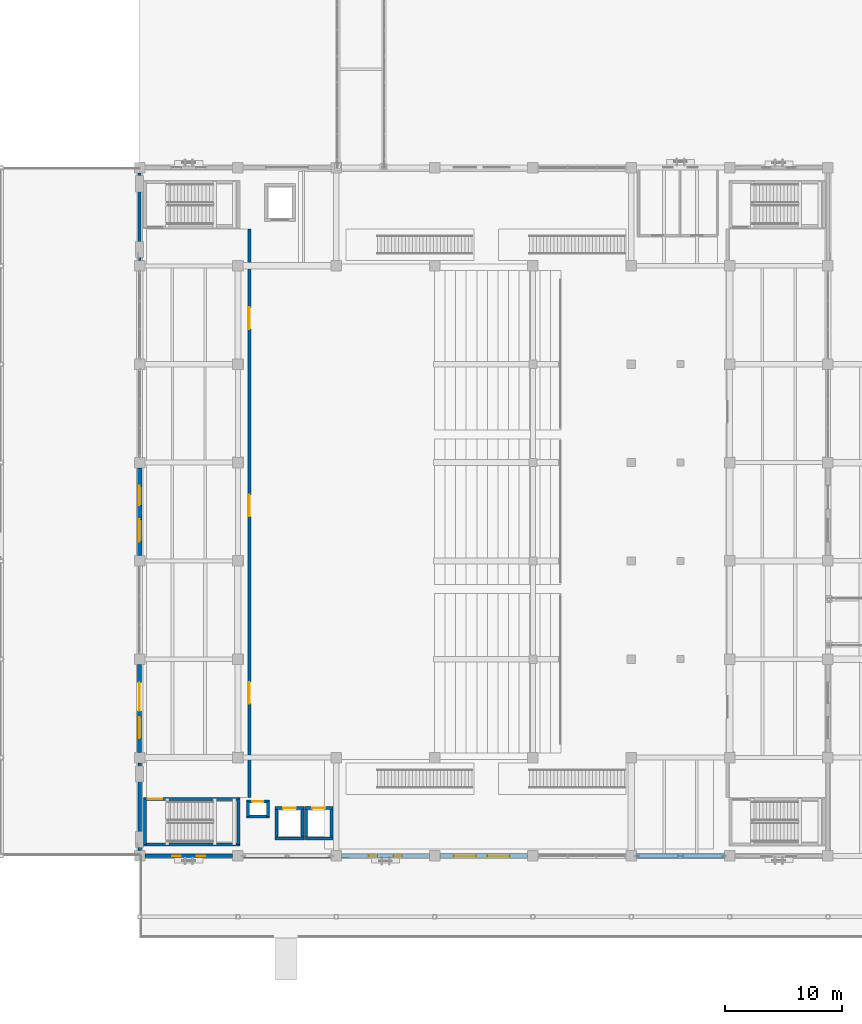
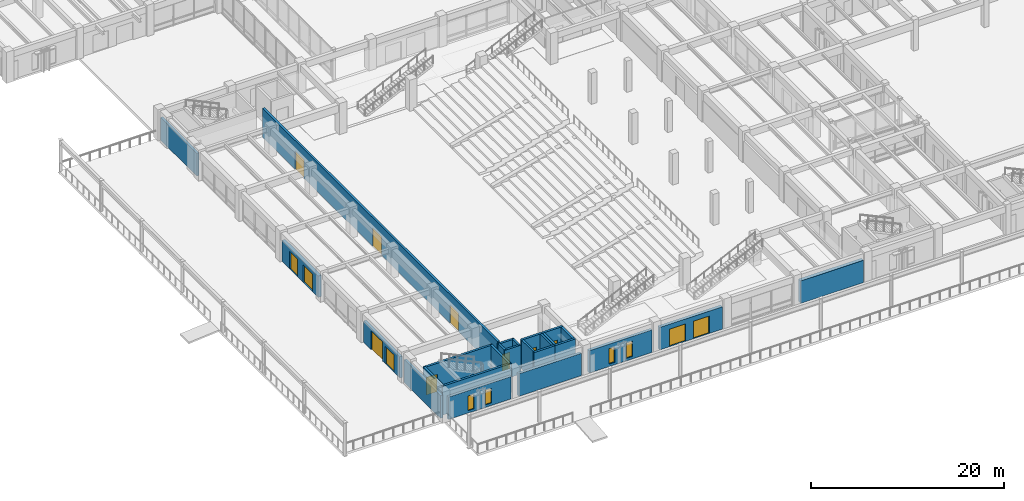
# One storey, part 84 of 135: 26 walls, 13 doors, 4 windows, 17 openings.
"""IFC4 building model written with IfcOpenShell, lengths in metres."""

from ifc_helpers import new_model, si_unit, direction, frame, frame_2d, origin, place, context, subcontext, project, spatial, rectangle, extrude, material, layer, layer_set, type_object, element, fill, save


model = new_model("IFC4")

# Units and contexts
model_context = context("Model", 3, precision=1e-05, world=origin(), true_north=direction((0.0, 1.0)))
body_context = subcontext(model_context, "Body", "Model", "MODEL_VIEW")
ifc_project = project(units=[si_unit("LENGTHUNIT", "METRE"), si_unit("AREAUNIT", "SQUARE_METRE"), si_unit("VOLUMEUNIT", "CUBIC_METRE"), si_unit("PLANEANGLEUNIT", "RADIAN"), si_unit("MASSUNIT", "GRAM", prefix="KILO")], contexts=[model_context])

# Site, building, storey
site_placement = place(None, origin())
site = spatial("IfcSite", under=ifc_project, at=site_placement, CompositionType="ELEMENT")
building_placement = place(site_placement, origin())
building = spatial("IfcBuilding", under=site, at=building_placement, Name="Cumbredor Promenade Congress Hotel", CompositionType="ELEMENT")
storey_placement = place(building_placement, origin())
storey = spatial("IfcBuildingStorey", under=building, at=storey_placement, Name="L00", CompositionType="ELEMENT", Elevation=0.0)

# Wall, openings, doors
ifc_material_1 = material(Name="Concrete C40/50", Category="concrete")
ifc_layer_1 = layer(ifc_material_1, 0.25, Name="Concrete C40/50", Category="concrete")
ifc_layer_set_1 = layer_set([ifc_layer_1], Name="Concrete C40/50")
wall_type_1 = type_object("IfcWallType", Name="WL-ACOUST-250", PredefinedType="SOLIDWALL", material=ifc_layer_set_1)
wall_1_placement = place(storey_placement, frame((17.800048828125, 13.39990234375, 0.0), z_axis=(0.0, 0.0, 1.0), x_axis=(0.0, 1.0, 0.0)))
wall_1 = element("IfcWall", 1, at=wall_1_placement, inside=storey, type_object=wall_type_1, Name="L00 Interior Partition W-L00-V1-1", PredefinedType="SOLIDWALL", context=body_context, shape_type="SweptSolid", body=[
    extrude(rectangle(XDim=48.550048828125, YDim=0.25, at=frame_2d((24.27490234375, 0.0))), origin(), (0.0, 0.0, 1.0), 3.639892578125),
])
opening_1_placement = place(wall_1_placement, frame((8.0, 0.0, 0.0)))
opening_1 = element("IfcOpeningElement", 2, at=opening_1_placement, cuts=wall_1, Name="Opening AD-01", PredefinedType="OPENING", context=body_context, shape_type="SweptSolid", body=[
    extrude(rectangle(XDim=1.85009765625, YDim=2.35009765625, at=frame_2d((0.925048828125, 1.175048828125))), frame((0.0, 0.135009765625, 0.0), z_axis=(0.0, -1.0, 0.0), x_axis=(1.0, 0.0, 0.0)), (0.0, 0.0, 1.0), 0.27001953125),
])
opening_2_placement = place(wall_1_placement, frame((24.0, 0.0, 0.0)))
opening_2 = element("IfcOpeningElement", 3, at=opening_2_placement, cuts=wall_1, Name="Opening AD-01", PredefinedType="OPENING", context=body_context, shape_type="SweptSolid", body=[
    extrude(rectangle(XDim=1.85009765625, YDim=2.35009765625, at=frame_2d((0.925048828125, 1.175048828125))), frame((0.0, 0.135009765625, 0.0), z_axis=(0.0, -1.0, 0.0), x_axis=(1.0, 0.0, 0.0)), (0.0, 0.0, 1.0), 0.27001953125),
])
opening_3_placement = place(wall_1_placement, frame((40.0, 0.0, 0.0)))
opening_3 = element("IfcOpeningElement", 4, at=opening_3_placement, cuts=wall_1, Name="Opening AD-01", PredefinedType="OPENING", context=body_context, shape_type="SweptSolid", body=[
    extrude(rectangle(XDim=1.85009765625, YDim=2.35009765625, at=frame_2d((0.925048828125, 1.175048828125))), frame((0.0, 0.135009765625, 0.0), z_axis=(0.0, -1.0, 0.0), x_axis=(1.0, 0.0, 0.0)), (0.0, 0.0, 1.0), 0.27001953125),
])
ifc_material_2 = material(Name="Acoustic solid-core hardwood assembly door", Category="wood")
door_type_1 = type_object("IfcDoorType", Name="DR-ACOUST-1800", OperationType="DOUBLE_DOOR_SINGLE_SWING", PredefinedType="DOOR", material=ifc_material_2)
door_1_placement = place(opening_1_placement, origin())
door_1 = element("IfcDoor", 5, at=door_1_placement, inside=storey, type_object=door_type_1, Name="L00 Interior Door W-L00-V1-1-01", OperationType="DOUBLE_DOOR_SINGLE_SWING", OverallHeight=2.35009765625, OverallWidth=1.85009765625, PredefinedType="DOOR", context=body_context, shape_type="SweptSolid", body=[
    extrude(rectangle(XDim=1.85009765625, YDim=2.35009765625, at=frame_2d((0.925048828125, 1.175048828125))), frame((0.0, 0.02490234375, 0.0), z_axis=(0.0, -1.0, 0.0), x_axis=(1.0, 0.0, 0.0)), (0.0, 0.0, 1.0), 0.050048828125),
])
fill(opening_1, door_1)
door_2_placement = place(opening_2_placement, origin())
door_2 = element("IfcDoor", 6, at=door_2_placement, inside=storey, type_object=door_type_1, Name="L00 Interior Door W-L00-V1-1-02", OperationType="DOUBLE_DOOR_SINGLE_SWING", OverallHeight=2.35009765625, OverallWidth=1.85009765625, PredefinedType="DOOR", context=body_context, shape_type="SweptSolid", body=[
    extrude(rectangle(XDim=1.85009765625, YDim=2.35009765625, at=frame_2d((0.925048828125, 1.175048828125))), frame((0.0, 0.02490234375, 0.0), z_axis=(0.0, -1.0, 0.0), x_axis=(1.0, 0.0, 0.0)), (0.0, 0.0, 1.0), 0.050048828125),
])
fill(opening_2, door_2)
door_3_placement = place(opening_3_placement, origin())
door_3 = element("IfcDoor", 7, at=door_3_placement, inside=storey, type_object=door_type_1, Name="L00 Interior Door W-L00-V1-1-03", OperationType="DOUBLE_DOOR_SINGLE_SWING", OverallHeight=2.35009765625, OverallWidth=1.85009765625, PredefinedType="DOOR", context=body_context, shape_type="SweptSolid", body=[
    extrude(rectangle(XDim=1.85009765625, YDim=2.35009765625, at=frame_2d((0.925048828125, 1.175048828125))), frame((0.0, 0.02490234375, 0.0), z_axis=(0.0, -1.0, 0.0), x_axis=(1.0, 0.0, 0.0)), (0.0, 0.0, 1.0), 0.050048828125),
])
fill(opening_3, door_3)

# Wall
ifc_layer_2 = layer(ifc_material_1, 0.260009765625, Name="Concrete C40/50", Category="concrete")
ifc_layer_set_2 = layer_set([ifc_layer_2], Name="Concrete C40/50")
wall_type_2 = type_object("IfcWallType", Name="WL-EXT-260", PredefinedType="SOLIDWALL", material=ifc_layer_set_2)
wall_2_placement = place(storey_placement, frame((8.39990234375, 59.2509765625, 0.0), z_axis=(0.0, 0.0, 1.0), x_axis=(0.0, 1.0, 0.0)))
element("IfcWall", 8, at=wall_2_placement, inside=storey, type_object=wall_type_2, Name="L00 Plenary Congress Hall West Envelope Wall 7", PredefinedType="SOLIDWALL", context=body_context, shape_type="SweptSolid", body=[
    extrude(rectangle(XDim=7.498046875, YDim=0.260009765625, at=frame_2d((3.7490234375, 0.0))), origin(), (0.0, 0.0, 1.0), 2.875),
])

# Wall, openings, windows
ifc_layer_3 = layer(ifc_material_1, 0.300048828125, Name="Concrete C40/50", Category="concrete")
ifc_layer_set_3 = layer_set([ifc_layer_3], Name="Concrete C40/50")
wall_type_3 = type_object("IfcWallType", Name="WL-EXT-300", PredefinedType="SOLIDWALL", material=ifc_layer_set_3)
wall_3_placement = place(storey_placement, frame((8.85107421875, 8.39990234375, 0.0), z_axis=(0.0, 0.0, 1.0), x_axis=(1.0, 0.0, 0.0)))
wall_3 = element("IfcWall", 9, at=wall_3_placement, inside=storey, type_object=wall_type_3, Name="L00 Plenary Congress Hall South Envelope Wall 1", PredefinedType="SOLIDWALL", context=body_context, shape_type="SweptSolid", body=[
    extrude(rectangle(XDim=7.498046875, YDim=0.300048828125, at=frame_2d((3.7490234375, 0.0))), origin(), (0.0, 0.0, 1.0), 2.824951171875),
])
opening_4_placement = place(wall_3_placement, frame((2.339111328125, 0.0, 0.300048828125)))
opening_4 = element("IfcOpeningElement", 10, at=opening_4_placement, cuts=wall_3, Name="Opening WN-45", PredefinedType="OPENING", context=body_context, shape_type="SweptSolid", body=[
    extrude(rectangle(XDim=0.719970703125, YDim=1.85009765625, at=frame_2d((0.35986328125, 0.925048828125))), frame((0.0, 0.16015625, 0.0), z_axis=(0.0, -1.0, 0.0), x_axis=(1.0, 0.0, 0.0)), (0.0, 0.0, 1.0), 0.320068359375),
])
opening_5_placement = place(wall_3_placement, frame((4.43896484375, 0.0, 0.300048828125)))
opening_5 = element("IfcOpeningElement", 11, at=opening_5_placement, cuts=wall_3, Name="Opening WN-45", PredefinedType="OPENING", context=body_context, shape_type="SweptSolid", body=[
    extrude(rectangle(XDim=0.719970703125, YDim=1.85009765625, at=frame_2d((0.35986328125, 0.925048828125))), frame((0.0, 0.16015625, 0.0), z_axis=(0.0, -1.0, 0.0), x_axis=(1.0, 0.0, 0.0)), (0.0, 0.0, 1.0), 0.320068359375),
])
ifc_material_3 = material(Name="Thermally broken anodized aluminium and low-E glass", Category="aluminium")
window_type_1 = type_object("IfcWindowType", Name="Vertical Slot Window WN-45 720x1850", PartitioningType="SINGLE_PANEL", PredefinedType="WINDOW", material=ifc_material_3)
window_1_placement = place(opening_4_placement, origin())
window_1 = element("IfcWindow", 12, at=window_1_placement, inside=storey, type_object=window_type_1, Name="L00 Vertical Slot Window 0001", OverallHeight=1.85009765625, OverallWidth=0.719970703125, PartitioningType="SINGLE_PANEL", PredefinedType="WINDOW", context=body_context, shape_type="SweptSolid", body=[
    extrude(rectangle(XDim=0.719970703125, YDim=1.85009765625, at=frame_2d((0.35986328125, 0.925048828125))), frame((0.0, 0.030029296875, 0.0), z_axis=(0.0, -1.0, 0.0), x_axis=(1.0, 0.0, 0.0)), (0.0, 0.0, 1.0), 0.06005859375),
])
fill(opening_4, window_1)
window_2_placement = place(opening_5_placement, origin())
window_2 = element("IfcWindow", 13, at=window_2_placement, inside=storey, type_object=window_type_1, Name="L00 Vertical Slot Window 0002", OverallHeight=1.85009765625, OverallWidth=0.719970703125, PartitioningType="SINGLE_PANEL", PredefinedType="WINDOW", context=body_context, shape_type="SweptSolid", body=[
    extrude(rectangle(XDim=0.719970703125, YDim=1.85009765625, at=frame_2d((0.35986328125, 0.925048828125))), frame((0.0, 0.030029296875, 0.0), z_axis=(0.0, -1.0, 0.0), x_axis=(1.0, 0.0, 0.0)), (0.0, 0.0, 1.0), 0.06005859375),
])
fill(opening_5, window_2)

# Walls
wall_4_placement = place(storey_placement, frame((8.39990234375, 8.85107421875, 0.0), z_axis=(0.0, 0.0, 1.0), x_axis=(0.0, 1.0, 0.0)))
element("IfcWall", 14, at=wall_4_placement, inside=storey, type_object=wall_type_3, Name="L00 Plenary Congress Hall West Envelope Wall 1", PredefinedType="SOLIDWALL", context=body_context, shape_type="SweptSolid", body=[
    extrude(rectangle(XDim=7.498046875, YDim=0.300048828125, at=frame_2d((3.7490234375, 0.0))), origin(), (0.0, 0.0, 1.0), 2.875),
])
ifc_layer_4 = layer(ifc_material_1, 0.324951171875, Name="Concrete C40/50", Category="concrete")
ifc_layer_set_4 = layer_set([ifc_layer_4], Name="Concrete C40/50")
wall_type_4 = type_object("IfcWallType", Name="WL-EXT-325", PredefinedType="SOLIDWALL", material=ifc_layer_set_4)
wall_5_placement = place(storey_placement, frame((17.2509765625, 8.39990234375, 0.0), z_axis=(0.0, 0.0, 1.0), x_axis=(1.0, 0.0, 0.0)))
element("IfcWall", 15, at=wall_5_placement, inside=storey, type_object=wall_type_4, Name="L00 Plenary Congress Hall South Envelope Wall 2", PredefinedType="SOLIDWALL", context=body_context, shape_type="SweptSolid", body=[
    extrude(rectangle(XDim=7.498046875, YDim=0.324951171875, at=frame_2d((3.7490234375, 0.0))), origin(), (0.0, 0.0, 1.0), 2.824951171875),
])

# Wall, openings, doors
wall_6_placement = place(storey_placement, frame((8.39990234375, 17.2509765625, 0.0), z_axis=(0.0, 0.0, 1.0), x_axis=(0.0, 1.0, 0.0)))
wall_6 = element("IfcWall", 16, at=wall_6_placement, inside=storey, type_object=wall_type_4, Name="L00 Plenary Congress Hall West Envelope Wall 2", PredefinedType="SOLIDWALL", context=body_context, shape_type="SweptSolid", body=[
    extrude(rectangle(XDim=7.498046875, YDim=0.324951171875, at=frame_2d((3.7490234375, 0.0))), origin(), (0.0, 0.0, 1.0), 2.675048828125),
])
opening_6_placement = place(wall_6_placement, frame((1.198974609375, 0.0, 0.0)))
opening_6 = element("IfcOpeningElement", 17, at=opening_6_placement, cuts=wall_6, Name="Opening EX-01", PredefinedType="OPENING", context=body_context, shape_type="SweptSolid", body=[
    extrude(rectangle(XDim=1.800048828125, YDim=2.199951171875, at=frame_2d((0.89990234375, 1.10009765625))), frame((0.0, 0.17236328125, 0.0), z_axis=(0.0, -1.0, 0.0), x_axis=(1.0, 0.0, 0.0)), (0.0, 0.0, 1.0), 0.344970703125),
])
opening_7_placement = place(wall_6_placement, frame((3.548095703125, 0.0, 0.0)))
opening_7 = element("IfcOpeningElement", 18, at=opening_7_placement, cuts=wall_6, Name="Opening EX-05", PredefinedType="OPENING", context=body_context, shape_type="SweptSolid", body=[
    extrude(rectangle(XDim=2.39990234375, YDim=2.39990234375, at=frame_2d((1.199951171875, 1.199951171875))), frame((0.0, 0.17236328125, 0.0), z_axis=(0.0, -1.0, 0.0), x_axis=(1.0, 0.0, 0.0)), (0.0, 0.0, 1.0), 0.344970703125),
])
ifc_material_4 = material(Name="Thermally broken anodized aluminium and laminated safety glass", Category="aluminium")
door_type_2 = type_object("IfcDoorType", Name="EXT-DR-EXIT-1800x2200", OperationType="DOUBLE_DOOR_SINGLE_SWING", PredefinedType="DOOR", material=ifc_material_4)
door_4_placement = place(opening_6_placement, origin())
door_4 = element("IfcDoor", 19, at=door_4_placement, inside=storey, type_object=door_type_2, Name="L00 Plenary Congress Hall West Final Exit Door 04.1", OperationType="DOUBLE_DOOR_SINGLE_SWING", OverallHeight=2.199951171875, OverallWidth=1.800048828125, PredefinedType="DOOR", context=body_context, shape_type="SweptSolid", body=[
    extrude(rectangle(XDim=1.800048828125, YDim=2.199951171875, at=frame_2d((0.89990234375, 1.10009765625))), frame((0.0, 0.02490234375, 0.0), z_axis=(0.0, -1.0, 0.0), x_axis=(1.0, 0.0, 0.0)), (0.0, 0.0, 1.0), 0.050048828125),
])
fill(opening_6, door_4)
door_type_3 = type_object("IfcDoorType", Name="EXT-DR-EXIT-2400x2400", OperationType="DOUBLE_DOOR_SINGLE_SWING", PredefinedType="DOOR", material=ifc_material_4)
door_5_placement = place(opening_7_placement, origin())
door_5 = element("IfcDoor", 20, at=door_5_placement, inside=storey, type_object=door_type_3, Name="L00 Plenary Congress Hall West Final Exit Door 04.2", OperationType="DOUBLE_DOOR_SINGLE_SWING", OverallHeight=2.39990234375, OverallWidth=2.39990234375, PredefinedType="DOOR", context=body_context, shape_type="SweptSolid", body=[
    extrude(rectangle(XDim=2.39990234375, YDim=2.39990234375, at=frame_2d((1.199951171875, 1.199951171875))), frame((0.0, 0.02490234375, 0.0), z_axis=(0.0, -1.0, 0.0), x_axis=(1.0, 0.0, 0.0)), (0.0, 0.0, 1.0), 0.050048828125),
])
fill(opening_7, door_5)

# Wall, openings, windows
ifc_layer_5 = layer(ifc_material_1, 0.35009765625, Name="Concrete C40/50", Category="concrete")
ifc_layer_set_5 = layer_set([ifc_layer_5], Name="Concrete C40/50")
wall_type_5 = type_object("IfcWallType", Name="WL-EXT-350", PredefinedType="SOLIDWALL", material=ifc_layer_set_5)
wall_7_placement = place(storey_placement, frame((25.65087890625, 8.39990234375, 0.0), z_axis=(0.0, 0.0, 1.0), x_axis=(1.0, 0.0, 0.0)))
wall_7 = element("IfcWall", 21, at=wall_7_placement, inside=storey, type_object=wall_type_5, Name="L00 Plenary Congress Hall South Envelope Wall 3", PredefinedType="SOLIDWALL", context=body_context, shape_type="SweptSolid", body=[
    extrude(rectangle(XDim=7.498046875, YDim=0.35009765625, at=frame_2d((3.7490234375, 0.0))), origin(), (0.0, 0.0, 1.0), 2.824951171875),
])
opening_8_placement = place(wall_7_placement, frame((2.339111328125, 0.0, 0.300048828125)))
opening_8 = element("IfcOpeningElement", 22, at=opening_8_placement, cuts=wall_7, Name="Opening WN-49", PredefinedType="OPENING", context=body_context, shape_type="SweptSolid", body=[
    extrude(rectangle(XDim=0.719970703125, YDim=1.949951171875, at=frame_2d((0.35986328125, 0.97509765625))), frame((0.0, 0.18505859375, 0.0), z_axis=(0.0, -1.0, 0.0), x_axis=(1.0, 0.0, 0.0)), (0.0, 0.0, 1.0), 0.3701171875),
])
opening_9_placement = place(wall_7_placement, frame((4.43896484375, 0.0, 0.300048828125)))
opening_9 = element("IfcOpeningElement", 23, at=opening_9_placement, cuts=wall_7, Name="Opening WN-49", PredefinedType="OPENING", context=body_context, shape_type="SweptSolid", body=[
    extrude(rectangle(XDim=0.719970703125, YDim=1.949951171875, at=frame_2d((0.35986328125, 0.97509765625))), frame((0.0, 0.18505859375, 0.0), z_axis=(0.0, -1.0, 0.0), x_axis=(1.0, 0.0, 0.0)), (0.0, 0.0, 1.0), 0.3701171875),
])
window_type_2 = type_object("IfcWindowType", Name="Vertical Slot Window WN-49 720x1950", PartitioningType="SINGLE_PANEL", PredefinedType="WINDOW", material=ifc_material_3)
window_3_placement = place(opening_8_placement, origin())
window_3 = element("IfcWindow", 24, at=window_3_placement, inside=storey, type_object=window_type_2, Name="L00 Vertical Slot Window 0003", OverallHeight=1.949951171875, OverallWidth=0.719970703125, PartitioningType="SINGLE_PANEL", PredefinedType="WINDOW", context=body_context, shape_type="SweptSolid", body=[
    extrude(rectangle(XDim=0.719970703125, YDim=1.949951171875, at=frame_2d((0.35986328125, 0.97509765625))), frame((0.0, 0.030029296875, 0.0), z_axis=(0.0, -1.0, 0.0), x_axis=(1.0, 0.0, 0.0)), (0.0, 0.0, 1.0), 0.06005859375),
])
fill(opening_8, window_3)
window_4_placement = place(opening_9_placement, origin())
window_4 = element("IfcWindow", 25, at=window_4_placement, inside=storey, type_object=window_type_2, Name="L00 Vertical Slot Window 0004", OverallHeight=1.949951171875, OverallWidth=0.719970703125, PartitioningType="SINGLE_PANEL", PredefinedType="WINDOW", context=body_context, shape_type="SweptSolid", body=[
    extrude(rectangle(XDim=0.719970703125, YDim=1.949951171875, at=frame_2d((0.35986328125, 0.97509765625))), frame((0.0, 0.030029296875, 0.0), z_axis=(0.0, -1.0, 0.0), x_axis=(1.0, 0.0, 0.0)), (0.0, 0.0, 1.0), 0.06005859375),
])
fill(opening_9, window_4)

# Wall, openings, doors
ifc_layer_6 = layer(ifc_material_1, 0.3798828125, Name="Concrete C40/50", Category="concrete")
ifc_layer_set_6 = layer_set([ifc_layer_6], Name="Concrete C40/50")
wall_type_6 = type_object("IfcWallType", Name="WL-EXT-380", PredefinedType="SOLIDWALL", material=ifc_layer_set_6)
wall_8_placement = place(storey_placement, frame((34.051025390625, 8.39990234375, 0.0), z_axis=(0.0, 0.0, 1.0), x_axis=(1.0, 0.0, 0.0)))
wall_8 = element("IfcWall", 26, at=wall_8_placement, inside=storey, type_object=wall_type_6, Name="L00 Plenary Congress Hall South Envelope Wall 4", PredefinedType="SOLIDWALL", context=body_context, shape_type="SweptSolid", body=[
    extrude(rectangle(XDim=7.498046875, YDim=0.3798828125, at=frame_2d((3.7490234375, 0.0))), origin(), (0.0, 0.0, 1.0), 2.824951171875),
])
opening_10_placement = place(wall_8_placement, frame((1.198974609375, 0.0, 0.0)))
opening_10 = element("IfcOpeningElement", 27, at=opening_10_placement, cuts=wall_8, Name="Opening EX-02", PredefinedType="OPENING", context=body_context, shape_type="SweptSolid", body=[
    extrude(rectangle(XDim=1.89990234375, YDim=2.199951171875, at=frame_2d((0.949951171875, 1.10009765625))), frame((0.0, 0.199951171875, 0.0), z_axis=(0.0, -1.0, 0.0), x_axis=(1.0, 0.0, 0.0)), (0.0, 0.0, 1.0), 0.39990234375),
])
opening_11_placement = place(wall_8_placement, frame((4.048095703125, 0.0, 0.0)))
opening_11 = element("IfcOpeningElement", 28, at=opening_11_placement, cuts=wall_8, Name="Opening EX-02", PredefinedType="OPENING", context=body_context, shape_type="SweptSolid", body=[
    extrude(rectangle(XDim=1.89990234375, YDim=2.199951171875, at=frame_2d((0.949951171875, 1.10009765625))), frame((0.0, 0.199951171875, 0.0), z_axis=(0.0, -1.0, 0.0), x_axis=(1.0, 0.0, 0.0)), (0.0, 0.0, 1.0), 0.39990234375),
])
door_type_4 = type_object("IfcDoorType", Name="EXT-DR-EXIT-1900x2200", OperationType="DOUBLE_DOOR_SINGLE_SWING", PredefinedType="DOOR", material=ifc_material_4)
door_6_placement = place(opening_10_placement, frame((1.89990234375, 0.0, 0.0), z_axis=(0.0, 0.0, 1.0), x_axis=(-1.0, 0.0, 0.0)))
door_6 = element("IfcDoor", 29, at=door_6_placement, inside=storey, type_object=door_type_4, Name="L00 Plenary Congress Hall South Final Exit Door 01.1", OperationType="DOUBLE_DOOR_SINGLE_SWING", OverallHeight=2.199951171875, OverallWidth=1.89990234375, PredefinedType="DOOR", context=body_context, shape_type="SweptSolid", body=[
    extrude(rectangle(XDim=1.89990234375, YDim=2.199951171875, at=frame_2d((0.949951171875, 1.10009765625))), frame((0.0, 0.02490234375, 0.0), z_axis=(0.0, -1.0, 0.0), x_axis=(1.0, 0.0, 0.0)), (0.0, 0.0, 1.0), 0.050048828125),
])
fill(opening_10, door_6)
door_7_placement = place(opening_11_placement, frame((1.89990234375, 0.0, 0.0), z_axis=(0.0, 0.0, 1.0), x_axis=(-1.0, 0.0, 0.0)))
door_7 = element("IfcDoor", 30, at=door_7_placement, inside=storey, type_object=door_type_4, Name="L00 Plenary Congress Hall South Final Exit Door 01.2", OperationType="DOUBLE_DOOR_SINGLE_SWING", OverallHeight=2.199951171875, OverallWidth=1.89990234375, PredefinedType="DOOR", context=body_context, shape_type="SweptSolid", body=[
    extrude(rectangle(XDim=1.89990234375, YDim=2.199951171875, at=frame_2d((0.949951171875, 1.10009765625))), frame((0.0, 0.02490234375, 0.0), z_axis=(0.0, -1.0, 0.0), x_axis=(1.0, 0.0, 0.0)), (0.0, 0.0, 1.0), 0.050048828125),
])
fill(opening_11, door_7)

wall_9_placement = place(storey_placement, frame((8.39990234375, 34.051025390625, 0.0), z_axis=(0.0, 0.0, 1.0), x_axis=(0.0, 1.0, 0.0)))
wall_9 = element("IfcWall", 31, at=wall_9_placement, inside=storey, type_object=wall_type_6, Name="L00 Plenary Congress Hall West Envelope Wall 4", PredefinedType="SOLIDWALL", context=body_context, shape_type="SweptSolid", body=[
    extrude(rectangle(XDim=7.498046875, YDim=0.3798828125, at=frame_2d((3.7490234375, 0.0))), origin(), (0.0, 0.0, 1.0), 2.675048828125),
])
opening_12_placement = place(wall_9_placement, frame((1.198974609375, 0.0, 0.0)))
opening_12 = element("IfcOpeningElement", 32, at=opening_12_placement, cuts=wall_9, Name="Opening EX-02", PredefinedType="OPENING", context=body_context, shape_type="SweptSolid", body=[
    extrude(rectangle(XDim=1.89990234375, YDim=2.199951171875, at=frame_2d((0.949951171875, 1.10009765625))), frame((0.0, 0.199951171875, 0.0), z_axis=(0.0, -1.0, 0.0), x_axis=(1.0, 0.0, 0.0)), (0.0, 0.0, 1.0), 0.39990234375),
])
opening_13_placement = place(wall_9_placement, frame((4.298095703125, 0.0, 0.0)))
opening_13 = element("IfcOpeningElement", 33, at=opening_13_placement, cuts=wall_9, Name="Opening EX-08", PredefinedType="OPENING", context=body_context, shape_type="SweptSolid", body=[
    extrude(rectangle(XDim=1.64990234375, YDim=2.199951171875, at=frame_2d((0.824951171875, 1.10009765625))), frame((0.0, 0.199951171875, 0.0), z_axis=(0.0, -1.0, 0.0), x_axis=(1.0, 0.0, 0.0)), (0.0, 0.0, 1.0), 0.39990234375),
])
door_type_5 = type_object("IfcDoorType", Name="EXT-DR-EXIT-1650x2200", OperationType="DOUBLE_DOOR_SINGLE_SWING", PredefinedType="DOOR", material=ifc_material_4)
door_8_placement = place(opening_13_placement, origin())
door_8 = element("IfcDoor", 34, at=door_8_placement, inside=storey, type_object=door_type_5, Name="L00 Plenary Congress Hall West Final Exit Door 05.2", OperationType="DOUBLE_DOOR_SINGLE_SWING", OverallHeight=2.199951171875, OverallWidth=1.64990234375, PredefinedType="DOOR", context=body_context, shape_type="SweptSolid", body=[
    extrude(rectangle(XDim=1.64990234375, YDim=2.199951171875, at=frame_2d((0.824951171875, 1.10009765625))), frame((0.0, 0.02490234375, 0.0), z_axis=(0.0, -1.0, 0.0), x_axis=(1.0, 0.0, 0.0)), (0.0, 0.0, 1.0), 0.050048828125),
])
fill(opening_13, door_8)
door_9_placement = place(opening_12_placement, origin())
door_9 = element("IfcDoor", 35, at=door_9_placement, inside=storey, type_object=door_type_4, Name="L00 Plenary Congress Hall West Final Exit Door 05.1", OperationType="DOUBLE_DOOR_SINGLE_SWING", OverallHeight=2.199951171875, OverallWidth=1.89990234375, PredefinedType="DOOR", context=body_context, shape_type="SweptSolid", body=[
    extrude(rectangle(XDim=1.89990234375, YDim=2.199951171875, at=frame_2d((0.949951171875, 1.10009765625))), frame((0.0, 0.02490234375, 0.0), z_axis=(0.0, -1.0, 0.0), x_axis=(1.0, 0.0, 0.0)), (0.0, 0.0, 1.0), 0.050048828125),
])
fill(opening_12, door_9)

# Walls
ifc_layer_7 = layer(ifc_material_1, 0.449951171875, Name="Concrete C40/50", Category="concrete")
ifc_layer_set_7 = layer_set([ifc_layer_7], Name="Concrete C40/50")
wall_type_7 = type_object("IfcWallType", Name="WL-EXT-450", PredefinedType="SOLIDWALL", material=ifc_layer_set_7)
wall_10_placement = place(storey_placement, frame((50.85107421875, 8.39990234375, 0.0), z_axis=(0.0, 0.0, 1.0), x_axis=(1.0, 0.0, 0.0)))
element("IfcWall", 36, at=wall_10_placement, inside=storey, type_object=wall_type_7, Name="L00 Plenary Congress Hall South Envelope Wall 6", PredefinedType="SOLIDWALL", context=body_context, shape_type="SweptSolid", body=[
    extrude(rectangle(XDim=7.498046875, YDim=0.449951171875, at=frame_2d((3.7490234375, 0.0))), origin(), (0.0, 0.0, 1.0), 2.824951171875),
])
ifc_layer_8 = layer(ifc_material_1, 0.2548828125, Name="Concrete C40/50", Category="concrete")
ifc_layer_set_8 = layer_set([ifc_layer_8], Name="Concrete C40/50")
wall_type_8 = type_object("IfcWallType", Name="WL-SHAFT-250", PredefinedType="SOLIDWALL", material=ifc_layer_set_8)
wall_11_placement = place(storey_placement, frame((8.75244140625, 9.3798828125, 0.0), z_axis=(0.0, 0.0, 1.0), x_axis=(1.0, 0.0, 0.0)))
element("IfcWall", 37, at=wall_11_placement, inside=storey, type_object=wall_type_8, Name="STAIR-ST-04-L00 Shaft Wall South", PredefinedType="SOLIDWALL", context=body_context, shape_type="SweptSolid", body=[
    extrude(rectangle(XDim=8.22509765625, YDim=0.2548828125, at=frame_2d((4.112548828125, 0.0))), origin(), (0.0, 0.0, 1.0), 3.639892578125),
])

# Wall, opening, door
wall_12_placement = place(storey_placement, frame((8.75244140625, 13.25, 0.0), z_axis=(0.0, 0.0, 1.0), x_axis=(1.0, 0.0, 0.0)))
wall_12 = element("IfcWall", 38, at=wall_12_placement, inside=storey, type_object=wall_type_8, Name="STAIR-ST-04-L00 Shaft Wall North", PredefinedType="SOLIDWALL", context=body_context, shape_type="SweptSolid", body=[
    extrude(rectangle(XDim=8.22509765625, YDim=0.2548828125, at=frame_2d((4.112548828125, 0.0))), origin(), (0.0, 0.0, 1.0), 3.639892578125),
])
opening_14_placement = place(wall_12_placement, frame((0.35009765625, 0.0, 0.0)))
opening_14 = element("IfcOpeningElement", 39, at=opening_14_placement, cuts=wall_12, Name="Opening SD-02", PredefinedType="OPENING", context=body_context, shape_type="SweptSolid", body=[
    extrude(rectangle(XDim=1.25, YDim=2.199951171875, at=frame_2d((0.625, 1.10009765625))), frame((0.0, 0.137451171875, 0.0), z_axis=(0.0, -1.0, 0.0), x_axis=(1.0, 0.0, 0.0)), (0.0, 0.0, 1.0), 0.27490234375),
])
ifc_material_5 = material(Name="Painted galvanized steel fire door", Category="steel")
door_type_6 = type_object("IfcDoorType", Name="DR-STAIR-FD90-1250", OperationType="NOTDEFINED", PredefinedType="DOOR", material=ifc_material_5)
door_10_placement = place(opening_14_placement, origin())
door_10 = element("IfcDoor", 40, at=door_10_placement, inside=storey, type_object=door_type_6, Name="L00 Protected Exit Stair ST-04 Door", OperationType="SINGLE_SWING_LEFT", OverallHeight=2.199951171875, OverallWidth=1.25, PredefinedType="DOOR", context=body_context, shape_type="SweptSolid", body=[
    extrude(rectangle(XDim=1.25, YDim=2.199951171875, at=frame_2d((0.625, 1.10009765625))), frame((0.0, 0.02490234375, 0.0), z_axis=(0.0, -1.0, 0.0), x_axis=(1.0, 0.0, 0.0)), (0.0, 0.0, 1.0), 0.050048828125),
])
fill(opening_14, door_10)

# Walls
for number, where, z_axis, x_axis, name in (
    (41, (8.8798828125, 9.3798828125, 0.0), (0.0, 0.0, 1.0), (0.0, 1.0, 0.0), "STAIR-ST-04-L00 Shaft Wall West"),
    (42, (16.85009765625, 9.3798828125, 0.0), (0.0, 0.0, 1.0), (0.0, 1.0, 0.0), "STAIR-ST-04-L00 Shaft Wall East"),
):
    element("IfcWall", number, at=place(storey_placement, frame(where, z_axis=z_axis, x_axis=x_axis)), inside=storey, type_object=wall_type_8, Name=name, PredefinedType="SOLIDWALL", context=body_context, shape_type="SweptSolid", body=[
        extrude(rectangle(XDim=3.8701171875, YDim=0.2548828125, at=frame_2d((1.93505859375, 0.0))), origin(), (0.0, 0.0, 1.0), 3.639892578125),
    ])
wall_13_placement = place(storey_placement, frame((19.972412109375, 9.89990234375, 0.0), z_axis=(0.0, 0.0, 1.0), x_axis=(1.0, 0.0, 0.0)))
element("IfcWall", 43, at=wall_13_placement, inside=storey, type_object=wall_type_8, Name="SHAFT-PL-05-L00 Shaft Wall South", PredefinedType="SOLIDWALL", context=body_context, shape_type="SweptSolid", body=[
    extrude(rectangle(XDim=2.455078125, YDim=0.2548828125, at=frame_2d((1.2275390625, 0.0))), origin(), (0.0, 0.0, 1.0), 3.639892578125),
])

# Wall, opening, door
wall_14_placement = place(storey_placement, frame((19.972412109375, 12.5, 0.0), z_axis=(0.0, 0.0, 1.0), x_axis=(1.0, 0.0, 0.0)))
wall_14 = element("IfcWall", 44, at=wall_14_placement, inside=storey, type_object=wall_type_8, Name="SHAFT-PL-05-L00 Shaft Wall North", PredefinedType="SOLIDWALL", context=body_context, shape_type="SweptSolid", body=[
    extrude(rectangle(XDim=2.455078125, YDim=0.2548828125, at=frame_2d((1.2275390625, 0.0))), origin(), (0.0, 0.0, 1.0), 3.639892578125),
])
opening_15_placement = place(wall_14_placement, frame((0.677490234375, 0.0, 0.0)))
opening_15 = element("IfcOpeningElement", 45, at=opening_15_placement, cuts=wall_14, Name="Opening LD-01", PredefinedType="OPENING", context=body_context, shape_type="SweptSolid", body=[
    extrude(rectangle(XDim=1.10009765625, YDim=2.14990234375, at=frame_2d((0.550048828125, 1.074951171875))), frame((0.0, 0.137451171875, 0.0), z_axis=(0.0, -1.0, 0.0), x_axis=(1.0, 0.0, 0.0)), (0.0, 0.0, 1.0), 0.27490234375),
])
ifc_material_6 = material(Name="Brushed stainless steel", Category="steel")
door_type_7 = type_object("IfcDoorType", Name="Lift Landing Sliding Door LD-01 1100x2150", OperationType="DOUBLE_DOOR_SLIDING", PredefinedType="DOOR", material=ifc_material_6)
door_11_placement = place(opening_15_placement, origin())
door_11 = element("IfcDoor", 46, at=door_11_placement, inside=storey, type_object=door_type_7, Name="L00 Plenary Passenger Lift PL-05 Sliding Landing Door", OperationType="DOUBLE_DOOR_SLIDING", OverallHeight=2.14990234375, OverallWidth=1.10009765625, PredefinedType="DOOR", context=body_context, shape_type="SweptSolid", body=[
    extrude(rectangle(XDim=1.10009765625, YDim=2.14990234375, at=frame_2d((0.550048828125, 1.074951171875))), frame((0.0, 0.02490234375, 0.0), z_axis=(0.0, -1.0, 0.0), x_axis=(1.0, 0.0, 0.0)), (0.0, 0.0, 1.0), 0.050048828125),
])
fill(opening_15, door_11)

# Walls
for number, where, z_axis, x_axis, name in (
    (47, (20.10009765625, 9.89990234375, 0.0), (0.0, 0.0, 1.0), (0.0, 1.0, 0.0), "SHAFT-PL-05-L00 Shaft Wall West"),
    (48, (22.300048828125, 9.89990234375, 0.0), (0.0, 0.0, 1.0), (0.0, 1.0, 0.0), "SHAFT-PL-05-L00 Shaft Wall East"),
):
    element("IfcWall", number, at=place(storey_placement, frame(where, z_axis=z_axis, x_axis=x_axis)), inside=storey, type_object=wall_type_8, Name=name, PredefinedType="SOLIDWALL", context=body_context, shape_type="SweptSolid", body=[
        extrude(rectangle(XDim=2.60009765625, YDim=0.2548828125, at=frame_2d((1.300048828125, 0.0))), origin(), (0.0, 0.0, 1.0), 3.639892578125),
    ])
wall_15_placement = place(storey_placement, frame((22.472412109375, 9.89990234375, 0.0), z_axis=(0.0, 0.0, 1.0), x_axis=(1.0, 0.0, 0.0)))
element("IfcWall", 49, at=wall_15_placement, inside=storey, type_object=wall_type_8, Name="SHAFT-PL-06-L00 Shaft Wall South", PredefinedType="SOLIDWALL", context=body_context, shape_type="SweptSolid", body=[
    extrude(rectangle(XDim=2.455078125, YDim=0.2548828125, at=frame_2d((1.2275390625, 0.0))), origin(), (0.0, 0.0, 1.0), 3.639892578125),
])

# Wall, opening, door
wall_16_placement = place(storey_placement, frame((22.472412109375, 12.5, 0.0), z_axis=(0.0, 0.0, 1.0), x_axis=(1.0, 0.0, 0.0)))
wall_16 = element("IfcWall", 50, at=wall_16_placement, inside=storey, type_object=wall_type_8, Name="SHAFT-PL-06-L00 Shaft Wall North", PredefinedType="SOLIDWALL", context=body_context, shape_type="SweptSolid", body=[
    extrude(rectangle(XDim=2.455078125, YDim=0.2548828125, at=frame_2d((1.2275390625, 0.0))), origin(), (0.0, 0.0, 1.0), 3.639892578125),
])
opening_16_placement = place(wall_16_placement, frame((0.677490234375, 0.0, 0.0)))
opening_16 = element("IfcOpeningElement", 51, at=opening_16_placement, cuts=wall_16, Name="Opening LD-01", PredefinedType="OPENING", context=body_context, shape_type="SweptSolid", body=[
    extrude(rectangle(XDim=1.10009765625, YDim=2.14990234375, at=frame_2d((0.550048828125, 1.074951171875))), frame((0.0, 0.137451171875, 0.0), z_axis=(0.0, -1.0, 0.0), x_axis=(1.0, 0.0, 0.0)), (0.0, 0.0, 1.0), 0.27490234375),
])
door_12_placement = place(opening_16_placement, origin())
door_12 = element("IfcDoor", 52, at=door_12_placement, inside=storey, type_object=door_type_7, Name="L00 Plenary Passenger Lift PL-06 Sliding Landing Door", OperationType="DOUBLE_DOOR_SLIDING", OverallHeight=2.14990234375, OverallWidth=1.10009765625, PredefinedType="DOOR", context=body_context, shape_type="SweptSolid", body=[
    extrude(rectangle(XDim=1.10009765625, YDim=2.14990234375, at=frame_2d((0.550048828125, 1.074951171875))), frame((0.0, 0.02490234375, 0.0), z_axis=(0.0, -1.0, 0.0), x_axis=(1.0, 0.0, 0.0)), (0.0, 0.0, 1.0), 0.050048828125),
])
fill(opening_16, door_12)

# Walls
for number, where, z_axis, x_axis, name in (
    (53, (22.60009765625, 9.89990234375, 0.0), (0.0, 0.0, 1.0), (0.0, 1.0, 0.0), "SHAFT-PL-06-L00 Shaft Wall West"),
    (54, (24.800048828125, 9.89990234375, 0.0), (0.0, 0.0, 1.0), (0.0, 1.0, 0.0), "SHAFT-PL-06-L00 Shaft Wall East"),
):
    element("IfcWall", number, at=place(storey_placement, frame(where, z_axis=z_axis, x_axis=x_axis)), inside=storey, type_object=wall_type_8, Name=name, PredefinedType="SOLIDWALL", context=body_context, shape_type="SweptSolid", body=[
        extrude(rectangle(XDim=2.60009765625, YDim=0.2548828125, at=frame_2d((1.300048828125, 0.0))), origin(), (0.0, 0.0, 1.0), 3.639892578125),
    ])
wall_17_placement = place(storey_placement, frame((17.5224609375, 11.75, 0.0), z_axis=(0.0, 0.0, 1.0), x_axis=(1.0, 0.0, 0.0)))
element("IfcWall", 55, at=wall_17_placement, inside=storey, type_object=wall_type_8, Name="RISER-MEP-R2-L00 Shaft Wall South", PredefinedType="SOLIDWALL", context=body_context, shape_type="SweptSolid", body=[
    extrude(rectangle(XDim=1.955078125, YDim=0.2548828125, at=frame_2d((0.9775390625, 0.0))), origin(), (0.0, 0.0, 1.0), 3.639892578125),
])

# Wall, opening, door
wall_18_placement = place(storey_placement, frame((17.5224609375, 13.050048828125, 0.0), z_axis=(0.0, 0.0, 1.0), x_axis=(1.0, 0.0, 0.0)))
wall_18 = element("IfcWall", 56, at=wall_18_placement, inside=storey, type_object=wall_type_8, Name="RISER-MEP-R2-L00 Shaft Wall North", PredefinedType="SOLIDWALL", context=body_context, shape_type="SweptSolid", body=[
    extrude(rectangle(XDim=1.955078125, YDim=0.2548828125, at=frame_2d((0.9775390625, 0.0))), origin(), (0.0, 0.0, 1.0), 3.639892578125),
])
opening_17_placement = place(wall_18_placement, frame((0.507568359375, 0.0, 0.0)))
opening_17 = element("IfcOpeningElement", 57, at=opening_17_placement, cuts=wall_18, Name="Opening FD-03", PredefinedType="OPENING", context=body_context, shape_type="SweptSolid", body=[
    extrude(rectangle(XDim=0.93994140625, YDim=2.10009765625, at=frame_2d((0.469970703125, 1.050048828125))), frame((0.0, 0.137451171875, 0.0), z_axis=(0.0, -1.0, 0.0), x_axis=(1.0, 0.0, 0.0)), (0.0, 0.0, 1.0), 0.27490234375),
])
door_type_8 = type_object("IfcDoorType", Name="DR-SGL-FD60-950", OperationType="NOTDEFINED", PredefinedType="DOOR", material=ifc_material_5)
door_13_placement = place(opening_17_placement, origin())
door_13 = element("IfcDoor", 58, at=door_13_placement, inside=storey, type_object=door_type_8, Name="L00 Plenary MEP Riser Shaft R2 Access Door", OperationType="SINGLE_SWING_LEFT", OverallHeight=2.10009765625, OverallWidth=0.93994140625, PredefinedType="DOOR", context=body_context, shape_type="SweptSolid", body=[
    extrude(rectangle(XDim=0.93994140625, YDim=2.10009765625, at=frame_2d((0.469970703125, 1.050048828125))), frame((0.0, 0.02490234375, 0.0), z_axis=(0.0, -1.0, 0.0), x_axis=(1.0, 0.0, 0.0)), (0.0, 0.0, 1.0), 0.050048828125),
])
fill(opening_17, door_13)

# Walls
for number, where, z_axis, x_axis, name in (
    (59, (17.64990234375, 11.75, 0.0), (0.0, 0.0, 1.0), (0.0, 1.0, 0.0), "RISER-MEP-R2-L00 Shaft Wall West"),
    (60, (19.35009765625, 11.75, 0.0), (0.0, 0.0, 1.0), (0.0, 1.0, 0.0), "RISER-MEP-R2-L00 Shaft Wall East"),
):
    element("IfcWall", number, at=place(storey_placement, frame(where, z_axis=z_axis, x_axis=x_axis)), inside=storey, type_object=wall_type_8, Name=name, PredefinedType="SOLIDWALL", context=body_context, shape_type="SweptSolid", body=[
        extrude(rectangle(XDim=1.300048828125, YDim=0.2548828125, at=frame_2d((0.64990234375, 0.0))), origin(), (0.0, 0.0, 1.0), 3.639892578125),
    ])

save(model, "model.ifc")
